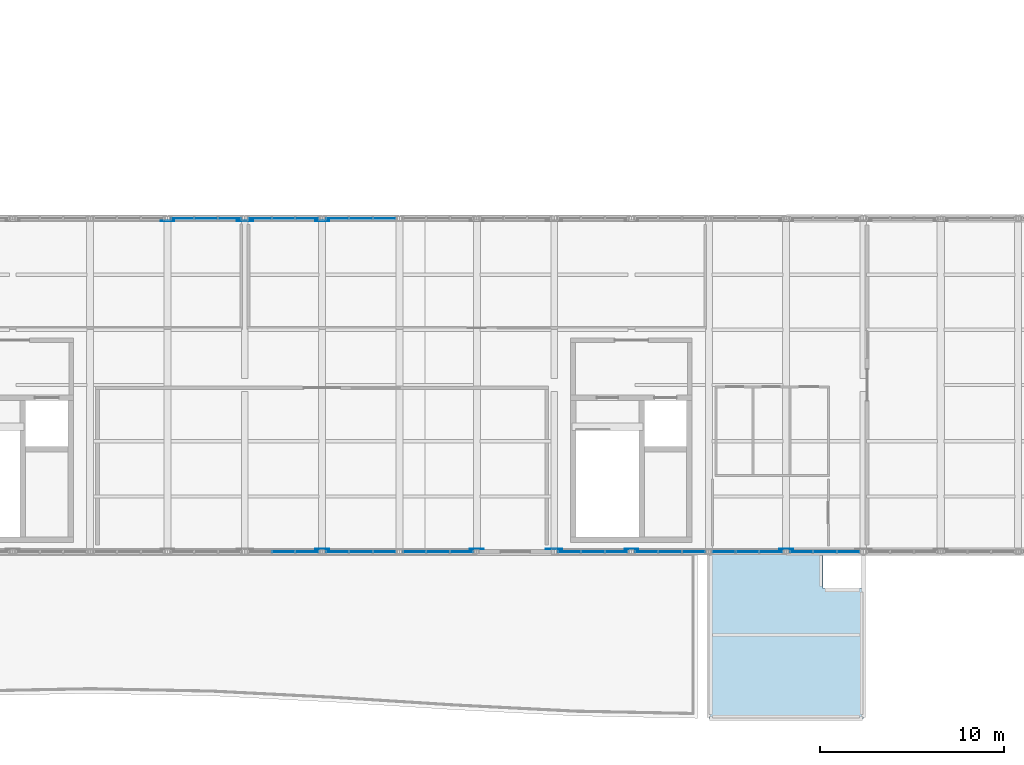
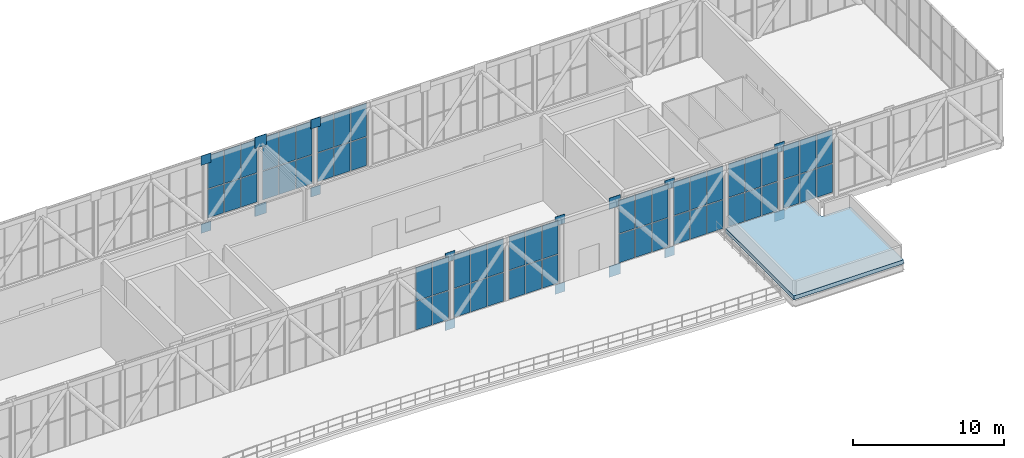
# One storey, part 49 of 58: 74 plates, 1 slab, 10 elements without a shape of their own.
"""IFC4 building model written with IfcOpenShell, lengths in metres."""

from ifc_helpers import new_model, si_unit, direction, frame, origin, origin_2d, place, context, subcontext, project, spatial, polyline, rectangle, outline, extrude, material, layer, layer_set, type_object, element, aggregate, save


model = new_model("IFC4")

# Units and contexts
model_context = context("Model", 3, precision=1e-05, world=origin(), true_north=direction((0.0, 1.0)))
body_context = subcontext(model_context, "Body", "Model", "MODEL_VIEW")
ifc_project = project(units=[si_unit("LENGTHUNIT", "METRE"), si_unit("AREAUNIT", "SQUARE_METRE"), si_unit("VOLUMEUNIT", "CUBIC_METRE"), si_unit("PLANEANGLEUNIT", "RADIAN"), si_unit("MASSUNIT", "GRAM", prefix="KILO")], contexts=[model_context])

# Site, building, storey
site_placement = place(None, origin())
site = spatial("IfcSite", under=ifc_project, at=site_placement, CompositionType="ELEMENT")
building_placement = place(site_placement, origin())
building = spatial("IfcBuilding", under=site, at=building_placement, Name="Khurvash Pelagic Aquarium", CompositionType="ELEMENT")
storey_placement = place(building_placement, frame((0.0, 0.0, 24.60009765625)))
storey = spatial("IfcBuildingStorey", under=building, at=storey_placement, Name="L05", CompositionType="ELEMENT", Elevation=24.60009765625)

# Curtain wall, plates
ifc_material_1 = material(Name="Anodised aluminium and low-E laminated glass", Category="aluminium")
curtain_wall_type = type_object("IfcCurtainWallType", Name="CW-01", PredefinedType="USERDEFINED", material=ifc_material_1)
curtain_wall_1_placement = place(storey_placement, origin())
curtain_wall_1 = element("IfcCurtainWall", 1, at=curtain_wall_1_placement, inside=storey, type_object=curtain_wall_type, Name="L05 South Sky-Bar Unitised Curtain Wall CW-01 P16", ObjectType="UNITISED CURTAIN WALL", PredefinedType="USERDEFINED")
ifc_material_2 = material(Name="Low-E laminated double glazing", Category="glass")
ifc_layer_1 = layer(ifc_material_2, 0.035888671875)
ifc_layer_set_1 = layer_set([ifc_layer_1], Name="Low-E laminated double glazing")
plate_type_1 = type_object("IfcPlateType", Name="CG-01", PredefinedType="CURTAIN_PANEL", material=ifc_layer_set_1)
plate_1_placement = place(storey_placement, frame((77.699951171875, 11.64990234375, 0.059814453125), z_axis=(0.0, 0.0, 1.0), x_axis=(1.0, 0.0, 0.0)))
plate_1 = element("IfcPlate", 2, at=plate_1_placement, type_object=plate_type_1, Name="CW-01 panel 2.1", PredefinedType="CURTAIN_PANEL", context=body_context, shape_type="SweptSolid", body=[
    extrude(rectangle(XDim=1.2333984375, YDim=0.035888671875, at=origin_2d()), origin(), (0.0, 0.0, 1.0), 2.31005859375),
])
plate_2_placement = place(storey_placement, frame((77.699951171875, 11.64990234375, 2.429931640625), z_axis=(0.0, 0.0, 1.0), x_axis=(1.0, 0.0, 0.0)))
plate_2 = element("IfcPlate", 3, at=plate_2_placement, type_object=plate_type_1, Name="CW-01 panel 2.2", PredefinedType="CURTAIN_PANEL", context=body_context, shape_type="SweptSolid", body=[
    extrude(rectangle(XDim=1.2333984375, YDim=0.035888671875, at=origin_2d()), origin(), (0.0, 0.0, 1.0), 2.68994140625),
])
plate_3_placement = place(storey_placement, frame((78.978271484375, 11.64990234375, 0.059814453125), z_axis=(0.0, 0.0, 1.0), x_axis=(1.0, 0.0, 0.0)))
plate_3 = element("IfcPlate", 4, at=plate_3_placement, type_object=plate_type_1, Name="CW-01 panel 3.1", PredefinedType="CURTAIN_PANEL", context=body_context, shape_type="SweptSolid", body=[
    extrude(rectangle(XDim=1.203369140625, YDim=0.035888671875, at=origin_2d()), origin(), (0.0, 0.0, 1.0), 2.31005859375),
])
plate_4_placement = place(storey_placement, frame((78.978271484375, 11.64990234375, 2.429931640625), z_axis=(0.0, 0.0, 1.0), x_axis=(1.0, 0.0, 0.0)))
plate_4 = element("IfcPlate", 5, at=plate_4_placement, type_object=plate_type_1, Name="CW-01 panel 3.2", PredefinedType="CURTAIN_PANEL", context=body_context, shape_type="SweptSolid", body=[
    extrude(rectangle(XDim=1.203369140625, YDim=0.035888671875, at=origin_2d()), origin(), (0.0, 0.0, 1.0), 2.68994140625),
])
aggregate(curtain_wall_1, [plate_1, plate_2, plate_3, plate_4])

curtain_wall_2_placement = place(storey_placement, origin())
curtain_wall_2 = element("IfcCurtainWall", 6, at=curtain_wall_2_placement, inside=storey, type_object=curtain_wall_type, Name="L05 South Sky-Bar Unitised Curtain Wall CW-01 P17", ObjectType="UNITISED CURTAIN WALL", PredefinedType="USERDEFINED")
plate_5_placement = place(storey_placement, frame((80.62158203125, 11.64990234375, 0.059814453125), z_axis=(0.0, 0.0, 1.0), x_axis=(1.0, 0.0, 0.0)))
plate_5 = element("IfcPlate", 7, at=plate_5_placement, type_object=plate_type_1, Name="CW-01 panel 1.1", PredefinedType="CURTAIN_PANEL", context=body_context, shape_type="SweptSolid", body=[
    extrude(rectangle(XDim=1.203369140625, YDim=0.035888671875, at=origin_2d()), origin(), (0.0, 0.0, 1.0), 2.31005859375),
])
plate_6_placement = place(storey_placement, frame((80.62158203125, 11.64990234375, 2.429931640625), z_axis=(0.0, 0.0, 1.0), x_axis=(1.0, 0.0, 0.0)))
plate_6 = element("IfcPlate", 8, at=plate_6_placement, type_object=plate_type_1, Name="CW-01 panel 1.2", PredefinedType="CURTAIN_PANEL", context=body_context, shape_type="SweptSolid", body=[
    extrude(rectangle(XDim=1.203369140625, YDim=0.035888671875, at=origin_2d()), origin(), (0.0, 0.0, 1.0), 2.68994140625),
])
plate_7_placement = place(storey_placement, frame((81.89990234375, 11.64990234375, 0.059814453125), z_axis=(0.0, 0.0, 1.0), x_axis=(1.0, 0.0, 0.0)))
plate_7 = element("IfcPlate", 9, at=plate_7_placement, type_object=plate_type_1, Name="CW-01 panel 2.1", PredefinedType="CURTAIN_PANEL", context=body_context, shape_type="SweptSolid", body=[
    extrude(rectangle(XDim=1.2333984375, YDim=0.035888671875, at=origin_2d()), origin(), (0.0, 0.0, 1.0), 2.31005859375),
])
plate_8_placement = place(storey_placement, frame((81.89990234375, 11.64990234375, 2.429931640625), z_axis=(0.0, 0.0, 1.0), x_axis=(1.0, 0.0, 0.0)))
plate_8 = element("IfcPlate", 10, at=plate_8_placement, type_object=plate_type_1, Name="CW-01 panel 2.2", PredefinedType="CURTAIN_PANEL", context=body_context, shape_type="SweptSolid", body=[
    extrude(rectangle(XDim=1.2333984375, YDim=0.035888671875, at=origin_2d()), origin(), (0.0, 0.0, 1.0), 2.68994140625),
])
plate_9_placement = place(storey_placement, frame((83.17822265625, 11.64990234375, 0.059814453125), z_axis=(0.0, 0.0, 1.0), x_axis=(1.0, 0.0, 0.0)))
plate_9 = element("IfcPlate", 11, at=plate_9_placement, type_object=plate_type_1, Name="CW-01 panel 3.1", PredefinedType="CURTAIN_PANEL", context=body_context, shape_type="SweptSolid", body=[
    extrude(rectangle(XDim=1.203369140625, YDim=0.035888671875, at=origin_2d()), origin(), (0.0, 0.0, 1.0), 2.31005859375),
])
plate_10_placement = place(storey_placement, frame((83.17822265625, 11.64990234375, 2.429931640625), z_axis=(0.0, 0.0, 1.0), x_axis=(1.0, 0.0, 0.0)))
plate_10 = element("IfcPlate", 12, at=plate_10_placement, type_object=plate_type_1, Name="CW-01 panel 3.2", PredefinedType="CURTAIN_PANEL", context=body_context, shape_type="SweptSolid", body=[
    extrude(rectangle(XDim=1.203369140625, YDim=0.035888671875, at=origin_2d()), origin(), (0.0, 0.0, 1.0), 2.68994140625),
])
aggregate(curtain_wall_2, [plate_5, plate_6, plate_7, plate_8, plate_9, plate_10])

curtain_wall_3_placement = place(storey_placement, origin())
curtain_wall_3 = element("IfcCurtainWall", 13, at=curtain_wall_3_placement, inside=storey, type_object=curtain_wall_type, Name="L05 South Sky-Bar Unitised Curtain Wall CW-01 P18", ObjectType="UNITISED CURTAIN WALL", PredefinedType="USERDEFINED")
plate_11_placement = place(storey_placement, frame((84.82177734375, 11.64990234375, 0.059814453125), z_axis=(0.0, 0.0, 1.0), x_axis=(1.0, 0.0, 0.0)))
plate_11 = element("IfcPlate", 14, at=plate_11_placement, type_object=plate_type_1, Name="CW-01 panel 1.1", PredefinedType="CURTAIN_PANEL", context=body_context, shape_type="SweptSolid", body=[
    extrude(rectangle(XDim=1.203369140625, YDim=0.035888671875, at=origin_2d()), origin(), (0.0, 0.0, 1.0), 2.31005859375),
])
plate_12_placement = place(storey_placement, frame((84.82177734375, 11.64990234375, 2.429931640625), z_axis=(0.0, 0.0, 1.0), x_axis=(1.0, 0.0, 0.0)))
plate_12 = element("IfcPlate", 15, at=plate_12_placement, type_object=plate_type_1, Name="CW-01 panel 1.2", PredefinedType="CURTAIN_PANEL", context=body_context, shape_type="SweptSolid", body=[
    extrude(rectangle(XDim=1.203369140625, YDim=0.035888671875, at=origin_2d()), origin(), (0.0, 0.0, 1.0), 2.68994140625),
])
plate_13_placement = place(storey_placement, frame((86.10009765625, 11.64990234375, 0.059814453125), z_axis=(0.0, 0.0, 1.0), x_axis=(1.0, 0.0, 0.0)))
plate_13 = element("IfcPlate", 16, at=plate_13_placement, type_object=plate_type_1, Name="CW-01 panel 2.1", PredefinedType="CURTAIN_PANEL", context=body_context, shape_type="SweptSolid", body=[
    extrude(rectangle(XDim=1.2333984375, YDim=0.035888671875, at=origin_2d()), origin(), (0.0, 0.0, 1.0), 2.31005859375),
])
plate_14_placement = place(storey_placement, frame((86.10009765625, 11.64990234375, 2.429931640625), z_axis=(0.0, 0.0, 1.0), x_axis=(1.0, 0.0, 0.0)))
plate_14 = element("IfcPlate", 17, at=plate_14_placement, type_object=plate_type_1, Name="CW-01 panel 2.2", PredefinedType="CURTAIN_PANEL", context=body_context, shape_type="SweptSolid", body=[
    extrude(rectangle(XDim=1.2333984375, YDim=0.035888671875, at=origin_2d()), origin(), (0.0, 0.0, 1.0), 2.68994140625),
])
plate_15_placement = place(storey_placement, frame((87.37841796875, 11.64990234375, 0.059814453125), z_axis=(0.0, 0.0, 1.0), x_axis=(1.0, 0.0, 0.0)))
plate_15 = element("IfcPlate", 18, at=plate_15_placement, type_object=plate_type_1, Name="CW-01 panel 3.1", PredefinedType="CURTAIN_PANEL", context=body_context, shape_type="SweptSolid", body=[
    extrude(rectangle(XDim=1.203369140625, YDim=0.035888671875, at=origin_2d()), origin(), (0.0, 0.0, 1.0), 2.31005859375),
])
plate_16_placement = place(storey_placement, frame((87.37841796875, 11.64990234375, 2.429931640625), z_axis=(0.0, 0.0, 1.0), x_axis=(1.0, 0.0, 0.0)))
plate_16 = element("IfcPlate", 19, at=plate_16_placement, type_object=plate_type_1, Name="CW-01 panel 3.2", PredefinedType="CURTAIN_PANEL", context=body_context, shape_type="SweptSolid", body=[
    extrude(rectangle(XDim=1.203369140625, YDim=0.035888671875, at=origin_2d()), origin(), (0.0, 0.0, 1.0), 2.68994140625),
])
aggregate(curtain_wall_3, [plate_11, plate_12, plate_13, plate_14, plate_15, plate_16])

curtain_wall_4_placement = place(storey_placement, origin())
curtain_wall_4 = element("IfcCurtainWall", 20, at=curtain_wall_4_placement, inside=storey, type_object=curtain_wall_type, Name="L05 South Sky-Bar Unitised Curtain Wall CW-01 P20", ObjectType="UNITISED CURTAIN WALL", PredefinedType="USERDEFINED")
plate_17_placement = place(storey_placement, frame((93.2216796875, 11.64990234375, 0.059814453125), z_axis=(0.0, 0.0, 1.0), x_axis=(1.0, 0.0, 0.0)))
plate_17 = element("IfcPlate", 21, at=plate_17_placement, type_object=plate_type_1, Name="CW-01 panel 1.1", PredefinedType="CURTAIN_PANEL", context=body_context, shape_type="SweptSolid", body=[
    extrude(rectangle(XDim=1.203369140625, YDim=0.035888671875, at=origin_2d()), origin(), (0.0, 0.0, 1.0), 2.31005859375),
])
plate_18_placement = place(storey_placement, frame((93.2216796875, 11.64990234375, 2.429931640625), z_axis=(0.0, 0.0, 1.0), x_axis=(1.0, 0.0, 0.0)))
plate_18 = element("IfcPlate", 22, at=plate_18_placement, type_object=plate_type_1, Name="CW-01 panel 1.2", PredefinedType="CURTAIN_PANEL", context=body_context, shape_type="SweptSolid", body=[
    extrude(rectangle(XDim=1.203369140625, YDim=0.035888671875, at=origin_2d()), origin(), (0.0, 0.0, 1.0), 2.68994140625),
])
plate_19_placement = place(storey_placement, frame((94.5, 11.64990234375, 0.059814453125), z_axis=(0.0, 0.0, 1.0), x_axis=(1.0, 0.0, 0.0)))
plate_19 = element("IfcPlate", 23, at=plate_19_placement, type_object=plate_type_1, Name="CW-01 panel 2.1", PredefinedType="CURTAIN_PANEL", context=body_context, shape_type="SweptSolid", body=[
    extrude(rectangle(XDim=1.2333984375, YDim=0.035888671875, at=origin_2d()), origin(), (0.0, 0.0, 1.0), 2.31005859375),
])
plate_20_placement = place(storey_placement, frame((94.5, 11.64990234375, 2.429931640625), z_axis=(0.0, 0.0, 1.0), x_axis=(1.0, 0.0, 0.0)))
plate_20 = element("IfcPlate", 24, at=plate_20_placement, type_object=plate_type_1, Name="CW-01 panel 2.2", PredefinedType="CURTAIN_PANEL", context=body_context, shape_type="SweptSolid", body=[
    extrude(rectangle(XDim=1.2333984375, YDim=0.035888671875, at=origin_2d()), origin(), (0.0, 0.0, 1.0), 2.68994140625),
])
plate_21_placement = place(storey_placement, frame((95.7783203125, 11.64990234375, 0.059814453125), z_axis=(0.0, 0.0, 1.0), x_axis=(1.0, 0.0, 0.0)))
plate_21 = element("IfcPlate", 25, at=plate_21_placement, type_object=plate_type_1, Name="CW-01 panel 3.1", PredefinedType="CURTAIN_PANEL", context=body_context, shape_type="SweptSolid", body=[
    extrude(rectangle(XDim=1.203369140625, YDim=0.035888671875, at=origin_2d()), origin(), (0.0, 0.0, 1.0), 2.31005859375),
])
plate_22_placement = place(storey_placement, frame((95.7783203125, 11.64990234375, 2.429931640625), z_axis=(0.0, 0.0, 1.0), x_axis=(1.0, 0.0, 0.0)))
plate_22 = element("IfcPlate", 26, at=plate_22_placement, type_object=plate_type_1, Name="CW-01 panel 3.2", PredefinedType="CURTAIN_PANEL", context=body_context, shape_type="SweptSolid", body=[
    extrude(rectangle(XDim=1.203369140625, YDim=0.035888671875, at=origin_2d()), origin(), (0.0, 0.0, 1.0), 2.68994140625),
])
aggregate(curtain_wall_4, [plate_17, plate_18, plate_19, plate_20, plate_21, plate_22])

curtain_wall_5_placement = place(storey_placement, origin())
curtain_wall_5 = element("IfcCurtainWall", 27, at=curtain_wall_5_placement, inside=storey, type_object=curtain_wall_type, Name="L05 South Sky-Bar Unitised Curtain Wall CW-01 P21", ObjectType="UNITISED CURTAIN WALL", PredefinedType="USERDEFINED")
plate_23_placement = place(storey_placement, frame((97.421630859375, 11.64990234375, 0.059814453125), z_axis=(0.0, 0.0, 1.0), x_axis=(1.0, 0.0, 0.0)))
plate_23 = element("IfcPlate", 28, at=plate_23_placement, type_object=plate_type_1, Name="CW-01 panel 1.1", PredefinedType="CURTAIN_PANEL", context=body_context, shape_type="SweptSolid", body=[
    extrude(rectangle(XDim=1.203369140625, YDim=0.035888671875, at=origin_2d()), origin(), (0.0, 0.0, 1.0), 2.31005859375),
])
plate_24_placement = place(storey_placement, frame((97.421630859375, 11.64990234375, 2.429931640625), z_axis=(0.0, 0.0, 1.0), x_axis=(1.0, 0.0, 0.0)))
plate_24 = element("IfcPlate", 29, at=plate_24_placement, type_object=plate_type_1, Name="CW-01 panel 1.2", PredefinedType="CURTAIN_PANEL", context=body_context, shape_type="SweptSolid", body=[
    extrude(rectangle(XDim=1.203369140625, YDim=0.035888671875, at=origin_2d()), origin(), (0.0, 0.0, 1.0), 2.68994140625),
])
plate_25_placement = place(storey_placement, frame((98.699951171875, 11.64990234375, 0.059814453125), z_axis=(0.0, 0.0, 1.0), x_axis=(1.0, 0.0, 0.0)))
plate_25 = element("IfcPlate", 30, at=plate_25_placement, type_object=plate_type_1, Name="CW-01 panel 2.1", PredefinedType="CURTAIN_PANEL", context=body_context, shape_type="SweptSolid", body=[
    extrude(rectangle(XDim=1.2333984375, YDim=0.035888671875, at=origin_2d()), origin(), (0.0, 0.0, 1.0), 2.31005859375),
])
plate_26_placement = place(storey_placement, frame((98.699951171875, 11.64990234375, 2.429931640625), z_axis=(0.0, 0.0, 1.0), x_axis=(1.0, 0.0, 0.0)))
plate_26 = element("IfcPlate", 31, at=plate_26_placement, type_object=plate_type_1, Name="CW-01 panel 2.2", PredefinedType="CURTAIN_PANEL", context=body_context, shape_type="SweptSolid", body=[
    extrude(rectangle(XDim=1.2333984375, YDim=0.035888671875, at=origin_2d()), origin(), (0.0, 0.0, 1.0), 2.68994140625),
])
plate_27_placement = place(storey_placement, frame((99.978271484375, 11.64990234375, 0.059814453125), z_axis=(0.0, 0.0, 1.0), x_axis=(1.0, 0.0, 0.0)))
plate_27 = element("IfcPlate", 32, at=plate_27_placement, type_object=plate_type_1, Name="CW-01 panel 3.1", PredefinedType="CURTAIN_PANEL", context=body_context, shape_type="SweptSolid", body=[
    extrude(rectangle(XDim=1.203369140625, YDim=0.035888671875, at=origin_2d()), origin(), (0.0, 0.0, 1.0), 2.31005859375),
])
plate_28_placement = place(storey_placement, frame((99.978271484375, 11.64990234375, 2.429931640625), z_axis=(0.0, 0.0, 1.0), x_axis=(1.0, 0.0, 0.0)))
plate_28 = element("IfcPlate", 33, at=plate_28_placement, type_object=plate_type_1, Name="CW-01 panel 3.2", PredefinedType="CURTAIN_PANEL", context=body_context, shape_type="SweptSolid", body=[
    extrude(rectangle(XDim=1.203369140625, YDim=0.035888671875, at=origin_2d()), origin(), (0.0, 0.0, 1.0), 2.68994140625),
])
aggregate(curtain_wall_5, [plate_23, plate_24, plate_25, plate_26, plate_27, plate_28])

curtain_wall_6_placement = place(storey_placement, origin())
curtain_wall_6 = element("IfcCurtainWall", 34, at=curtain_wall_6_placement, inside=storey, type_object=curtain_wall_type, Name="L05 South Sky-Bar Unitised Curtain Wall CW-01 P22", ObjectType="UNITISED CURTAIN WALL", PredefinedType="USERDEFINED")
plate_29_placement = place(storey_placement, frame((101.62158203125, 11.64990234375, 0.059814453125), z_axis=(0.0, 0.0, 1.0), x_axis=(1.0, 0.0, 0.0)))
plate_29 = element("IfcPlate", 35, at=plate_29_placement, type_object=plate_type_1, Name="CW-01 panel 1.1", PredefinedType="CURTAIN_PANEL", context=body_context, shape_type="SweptSolid", body=[
    extrude(rectangle(XDim=1.203369140625, YDim=0.035888671875, at=origin_2d()), origin(), (0.0, 0.0, 1.0), 2.31005859375),
])
plate_30_placement = place(storey_placement, frame((101.62158203125, 11.64990234375, 2.429931640625), z_axis=(0.0, 0.0, 1.0), x_axis=(1.0, 0.0, 0.0)))
plate_30 = element("IfcPlate", 36, at=plate_30_placement, type_object=plate_type_1, Name="CW-01 panel 1.2", PredefinedType="CURTAIN_PANEL", context=body_context, shape_type="SweptSolid", body=[
    extrude(rectangle(XDim=1.203369140625, YDim=0.035888671875, at=origin_2d()), origin(), (0.0, 0.0, 1.0), 2.68994140625),
])
plate_31_placement = place(storey_placement, frame((102.89990234375, 11.64990234375, 0.059814453125), z_axis=(0.0, 0.0, 1.0), x_axis=(1.0, 0.0, 0.0)))
plate_31 = element("IfcPlate", 37, at=plate_31_placement, type_object=plate_type_1, Name="CW-01 panel 2.1", PredefinedType="CURTAIN_PANEL", context=body_context, shape_type="SweptSolid", body=[
    extrude(rectangle(XDim=1.2333984375, YDim=0.035888671875, at=origin_2d()), origin(), (0.0, 0.0, 1.0), 2.31005859375),
])
plate_32_placement = place(storey_placement, frame((102.89990234375, 11.64990234375, 2.429931640625), z_axis=(0.0, 0.0, 1.0), x_axis=(1.0, 0.0, 0.0)))
plate_32 = element("IfcPlate", 38, at=plate_32_placement, type_object=plate_type_1, Name="CW-01 panel 2.2", PredefinedType="CURTAIN_PANEL", context=body_context, shape_type="SweptSolid", body=[
    extrude(rectangle(XDim=1.2333984375, YDim=0.035888671875, at=origin_2d()), origin(), (0.0, 0.0, 1.0), 2.68994140625),
])
plate_33_placement = place(storey_placement, frame((104.17822265625, 11.64990234375, 0.059814453125), z_axis=(0.0, 0.0, 1.0), x_axis=(1.0, 0.0, 0.0)))
plate_33 = element("IfcPlate", 39, at=plate_33_placement, type_object=plate_type_1, Name="CW-01 panel 3.1", PredefinedType="CURTAIN_PANEL", context=body_context, shape_type="SweptSolid", body=[
    extrude(rectangle(XDim=1.203369140625, YDim=0.035888671875, at=origin_2d()), origin(), (0.0, 0.0, 1.0), 2.31005859375),
])
plate_34_placement = place(storey_placement, frame((104.17822265625, 11.64990234375, 2.429931640625), z_axis=(0.0, 0.0, 1.0), x_axis=(1.0, 0.0, 0.0)))
plate_34 = element("IfcPlate", 40, at=plate_34_placement, type_object=plate_type_1, Name="CW-01 panel 3.2", PredefinedType="CURTAIN_PANEL", context=body_context, shape_type="SweptSolid", body=[
    extrude(rectangle(XDim=1.203369140625, YDim=0.035888671875, at=origin_2d()), origin(), (0.0, 0.0, 1.0), 2.68994140625),
])
aggregate(curtain_wall_6, [plate_29, plate_30, plate_31, plate_32, plate_33, plate_34])

curtain_wall_7_placement = place(storey_placement, origin())
curtain_wall_7 = element("IfcCurtainWall", 41, at=curtain_wall_7_placement, inside=storey, type_object=curtain_wall_type, Name="L05 South Sky-Bar Unitised Curtain Wall CW-01 P23", ObjectType="UNITISED CURTAIN WALL", PredefinedType="USERDEFINED")
plate_35_placement = place(storey_placement, frame((105.82177734375, 11.64990234375, 0.059814453125), z_axis=(0.0, 0.0, 1.0), x_axis=(1.0, 0.0, 0.0)))
plate_35 = element("IfcPlate", 42, at=plate_35_placement, type_object=plate_type_1, Name="CW-01 panel 1.1", PredefinedType="CURTAIN_PANEL", context=body_context, shape_type="SweptSolid", body=[
    extrude(rectangle(XDim=1.203369140625, YDim=0.035888671875, at=origin_2d()), origin(), (0.0, 0.0, 1.0), 2.31005859375),
])
plate_36_placement = place(storey_placement, frame((105.82177734375, 11.64990234375, 2.429931640625), z_axis=(0.0, 0.0, 1.0), x_axis=(1.0, 0.0, 0.0)))
plate_36 = element("IfcPlate", 43, at=plate_36_placement, type_object=plate_type_1, Name="CW-01 panel 1.2", PredefinedType="CURTAIN_PANEL", context=body_context, shape_type="SweptSolid", body=[
    extrude(rectangle(XDim=1.203369140625, YDim=0.035888671875, at=origin_2d()), origin(), (0.0, 0.0, 1.0), 2.68994140625),
])
plate_37_placement = place(storey_placement, frame((107.10009765625, 11.64990234375, 0.059814453125), z_axis=(0.0, 0.0, 1.0), x_axis=(1.0, 0.0, 0.0)))
plate_37 = element("IfcPlate", 44, at=plate_37_placement, type_object=plate_type_1, Name="CW-01 panel 2.1", PredefinedType="CURTAIN_PANEL", context=body_context, shape_type="SweptSolid", body=[
    extrude(rectangle(XDim=1.2333984375, YDim=0.035888671875, at=origin_2d()), origin(), (0.0, 0.0, 1.0), 2.31005859375),
])
plate_38_placement = place(storey_placement, frame((107.10009765625, 11.64990234375, 2.429931640625), z_axis=(0.0, 0.0, 1.0), x_axis=(1.0, 0.0, 0.0)))
plate_38 = element("IfcPlate", 45, at=plate_38_placement, type_object=plate_type_1, Name="CW-01 panel 2.2", PredefinedType="CURTAIN_PANEL", context=body_context, shape_type="SweptSolid", body=[
    extrude(rectangle(XDim=1.2333984375, YDim=0.035888671875, at=origin_2d()), origin(), (0.0, 0.0, 1.0), 2.68994140625),
])
plate_39_placement = place(storey_placement, frame((108.37841796875, 11.64990234375, 0.059814453125), z_axis=(0.0, 0.0, 1.0), x_axis=(1.0, 0.0, 0.0)))
plate_39 = element("IfcPlate", 46, at=plate_39_placement, type_object=plate_type_1, Name="CW-01 panel 3.1", PredefinedType="CURTAIN_PANEL", context=body_context, shape_type="SweptSolid", body=[
    extrude(rectangle(XDim=1.203369140625, YDim=0.035888671875, at=origin_2d()), origin(), (0.0, 0.0, 1.0), 2.31005859375),
])
plate_40_placement = place(storey_placement, frame((108.37841796875, 11.64990234375, 2.429931640625), z_axis=(0.0, 0.0, 1.0), x_axis=(1.0, 0.0, 0.0)))
plate_40 = element("IfcPlate", 47, at=plate_40_placement, type_object=plate_type_1, Name="CW-01 panel 3.2", PredefinedType="CURTAIN_PANEL", context=body_context, shape_type="SweptSolid", body=[
    extrude(rectangle(XDim=1.203369140625, YDim=0.035888671875, at=origin_2d()), origin(), (0.0, 0.0, 1.0), 2.68994140625),
])
aggregate(curtain_wall_7, [plate_35, plate_36, plate_37, plate_38, plate_39, plate_40])

curtain_wall_8_placement = place(storey_placement, origin())
curtain_wall_8 = element("IfcCurtainWall", 48, at=curtain_wall_8_placement, inside=storey, type_object=curtain_wall_type, Name="L05 North Sky-Bar Unitised Curtain Wall CW-01 P15", ObjectType="UNITISED CURTAIN WALL", PredefinedType="USERDEFINED")
plate_41_placement = place(storey_placement, frame((72.2216796875, 29.75, 0.059814453125), z_axis=(0.0, 0.0, 1.0), x_axis=(1.0, 0.0, 0.0)))
plate_41 = element("IfcPlate", 49, at=plate_41_placement, type_object=plate_type_1, Name="CW-01 panel 1.1", PredefinedType="CURTAIN_PANEL", context=body_context, shape_type="SweptSolid", body=[
    extrude(rectangle(XDim=1.203369140625, YDim=0.035888671875, at=origin_2d()), origin(), (0.0, 0.0, 1.0), 2.31005859375),
])
plate_42_placement = place(storey_placement, frame((72.2216796875, 29.75, 2.429931640625), z_axis=(0.0, 0.0, 1.0), x_axis=(1.0, 0.0, 0.0)))
plate_42 = element("IfcPlate", 50, at=plate_42_placement, type_object=plate_type_1, Name="CW-01 panel 1.2", PredefinedType="CURTAIN_PANEL", context=body_context, shape_type="SweptSolid", body=[
    extrude(rectangle(XDim=1.203369140625, YDim=0.035888671875, at=origin_2d()), origin(), (0.0, 0.0, 1.0), 2.68994140625),
])
plate_43_placement = place(storey_placement, frame((73.5, 29.75, 0.059814453125), z_axis=(0.0, 0.0, 1.0), x_axis=(1.0, 0.0, 0.0)))
plate_43 = element("IfcPlate", 51, at=plate_43_placement, type_object=plate_type_1, Name="CW-01 panel 2.1", PredefinedType="CURTAIN_PANEL", context=body_context, shape_type="SweptSolid", body=[
    extrude(rectangle(XDim=1.2333984375, YDim=0.035888671875, at=origin_2d()), origin(), (0.0, 0.0, 1.0), 2.31005859375),
])
plate_44_placement = place(storey_placement, frame((73.5, 29.75, 2.429931640625), z_axis=(0.0, 0.0, 1.0), x_axis=(1.0, 0.0, 0.0)))
plate_44 = element("IfcPlate", 52, at=plate_44_placement, type_object=plate_type_1, Name="CW-01 panel 2.2", PredefinedType="CURTAIN_PANEL", context=body_context, shape_type="SweptSolid", body=[
    extrude(rectangle(XDim=1.2333984375, YDim=0.035888671875, at=origin_2d()), origin(), (0.0, 0.0, 1.0), 2.68994140625),
])
plate_45_placement = place(storey_placement, frame((74.7783203125, 29.75, 0.059814453125), z_axis=(0.0, 0.0, 1.0), x_axis=(1.0, 0.0, 0.0)))
plate_45 = element("IfcPlate", 53, at=plate_45_placement, type_object=plate_type_1, Name="CW-01 panel 3.1", PredefinedType="CURTAIN_PANEL", context=body_context, shape_type="SweptSolid", body=[
    extrude(rectangle(XDim=1.203369140625, YDim=0.035888671875, at=origin_2d()), origin(), (0.0, 0.0, 1.0), 2.31005859375),
])
plate_46_placement = place(storey_placement, frame((74.7783203125, 29.75, 2.429931640625), z_axis=(0.0, 0.0, 1.0), x_axis=(1.0, 0.0, 0.0)))
plate_46 = element("IfcPlate", 54, at=plate_46_placement, type_object=plate_type_1, Name="CW-01 panel 3.2", PredefinedType="CURTAIN_PANEL", context=body_context, shape_type="SweptSolid", body=[
    extrude(rectangle(XDim=1.203369140625, YDim=0.035888671875, at=origin_2d()), origin(), (0.0, 0.0, 1.0), 2.68994140625),
])
aggregate(curtain_wall_8, [plate_41, plate_42, plate_43, plate_44, plate_45, plate_46])

curtain_wall_9_placement = place(storey_placement, origin())
curtain_wall_9 = element("IfcCurtainWall", 55, at=curtain_wall_9_placement, inside=storey, type_object=curtain_wall_type, Name="L05 North Sky-Bar Unitised Curtain Wall CW-01 P16", ObjectType="UNITISED CURTAIN WALL", PredefinedType="USERDEFINED")
plate_47_placement = place(storey_placement, frame((76.421630859375, 29.75, 0.059814453125), z_axis=(0.0, 0.0, 1.0), x_axis=(1.0, 0.0, 0.0)))
plate_47 = element("IfcPlate", 56, at=plate_47_placement, type_object=plate_type_1, Name="CW-01 panel 1.1", PredefinedType="CURTAIN_PANEL", context=body_context, shape_type="SweptSolid", body=[
    extrude(rectangle(XDim=1.203369140625, YDim=0.035888671875, at=origin_2d()), origin(), (0.0, 0.0, 1.0), 2.31005859375),
])
plate_48_placement = place(storey_placement, frame((76.421630859375, 29.75, 2.429931640625), z_axis=(0.0, 0.0, 1.0), x_axis=(1.0, 0.0, 0.0)))
plate_48 = element("IfcPlate", 57, at=plate_48_placement, type_object=plate_type_1, Name="CW-01 panel 1.2", PredefinedType="CURTAIN_PANEL", context=body_context, shape_type="SweptSolid", body=[
    extrude(rectangle(XDim=1.203369140625, YDim=0.035888671875, at=origin_2d()), origin(), (0.0, 0.0, 1.0), 2.68994140625),
])
plate_49_placement = place(storey_placement, frame((77.699951171875, 29.75, 0.059814453125), z_axis=(0.0, 0.0, 1.0), x_axis=(1.0, 0.0, 0.0)))
plate_49 = element("IfcPlate", 58, at=plate_49_placement, type_object=plate_type_1, Name="CW-01 panel 2.1", PredefinedType="CURTAIN_PANEL", context=body_context, shape_type="SweptSolid", body=[
    extrude(rectangle(XDim=1.2333984375, YDim=0.035888671875, at=origin_2d()), origin(), (0.0, 0.0, 1.0), 2.31005859375),
])
plate_50_placement = place(storey_placement, frame((77.699951171875, 29.75, 2.429931640625), z_axis=(0.0, 0.0, 1.0), x_axis=(1.0, 0.0, 0.0)))
plate_50 = element("IfcPlate", 59, at=plate_50_placement, type_object=plate_type_1, Name="CW-01 panel 2.2", PredefinedType="CURTAIN_PANEL", context=body_context, shape_type="SweptSolid", body=[
    extrude(rectangle(XDim=1.2333984375, YDim=0.035888671875, at=origin_2d()), origin(), (0.0, 0.0, 1.0), 2.68994140625),
])
plate_51_placement = place(storey_placement, frame((78.978271484375, 29.75, 0.059814453125), z_axis=(0.0, 0.0, 1.0), x_axis=(1.0, 0.0, 0.0)))
plate_51 = element("IfcPlate", 60, at=plate_51_placement, type_object=plate_type_1, Name="CW-01 panel 3.1", PredefinedType="CURTAIN_PANEL", context=body_context, shape_type="SweptSolid", body=[
    extrude(rectangle(XDim=1.203369140625, YDim=0.035888671875, at=origin_2d()), origin(), (0.0, 0.0, 1.0), 2.31005859375),
])
plate_52_placement = place(storey_placement, frame((78.978271484375, 29.75, 2.429931640625), z_axis=(0.0, 0.0, 1.0), x_axis=(1.0, 0.0, 0.0)))
plate_52 = element("IfcPlate", 61, at=plate_52_placement, type_object=plate_type_1, Name="CW-01 panel 3.2", PredefinedType="CURTAIN_PANEL", context=body_context, shape_type="SweptSolid", body=[
    extrude(rectangle(XDim=1.203369140625, YDim=0.035888671875, at=origin_2d()), origin(), (0.0, 0.0, 1.0), 2.68994140625),
])
aggregate(curtain_wall_9, [plate_47, plate_48, plate_49, plate_50, plate_51, plate_52])

curtain_wall_10_placement = place(storey_placement, origin())
curtain_wall_10 = element("IfcCurtainWall", 62, at=curtain_wall_10_placement, inside=storey, type_object=curtain_wall_type, Name="L05 North Sky-Bar Unitised Curtain Wall CW-01 P17", ObjectType="UNITISED CURTAIN WALL", PredefinedType="USERDEFINED")
plate_53_placement = place(storey_placement, frame((80.62158203125, 29.75, 0.059814453125), z_axis=(0.0, 0.0, 1.0), x_axis=(1.0, 0.0, 0.0)))
plate_53 = element("IfcPlate", 63, at=plate_53_placement, type_object=plate_type_1, Name="CW-01 panel 1.1", PredefinedType="CURTAIN_PANEL", context=body_context, shape_type="SweptSolid", body=[
    extrude(rectangle(XDim=1.203369140625, YDim=0.035888671875, at=origin_2d()), origin(), (0.0, 0.0, 1.0), 2.31005859375),
])
plate_54_placement = place(storey_placement, frame((80.62158203125, 29.75, 2.429931640625), z_axis=(0.0, 0.0, 1.0), x_axis=(1.0, 0.0, 0.0)))
plate_54 = element("IfcPlate", 64, at=plate_54_placement, type_object=plate_type_1, Name="CW-01 panel 1.2", PredefinedType="CURTAIN_PANEL", context=body_context, shape_type="SweptSolid", body=[
    extrude(rectangle(XDim=1.203369140625, YDim=0.035888671875, at=origin_2d()), origin(), (0.0, 0.0, 1.0), 2.68994140625),
])
plate_55_placement = place(storey_placement, frame((81.89990234375, 29.75, 0.059814453125), z_axis=(0.0, 0.0, 1.0), x_axis=(1.0, 0.0, 0.0)))
plate_55 = element("IfcPlate", 65, at=plate_55_placement, type_object=plate_type_1, Name="CW-01 panel 2.1", PredefinedType="CURTAIN_PANEL", context=body_context, shape_type="SweptSolid", body=[
    extrude(rectangle(XDim=1.2333984375, YDim=0.035888671875, at=origin_2d()), origin(), (0.0, 0.0, 1.0), 2.31005859375),
])
plate_56_placement = place(storey_placement, frame((81.89990234375, 29.75, 2.429931640625), z_axis=(0.0, 0.0, 1.0), x_axis=(1.0, 0.0, 0.0)))
plate_56 = element("IfcPlate", 66, at=plate_56_placement, type_object=plate_type_1, Name="CW-01 panel 2.2", PredefinedType="CURTAIN_PANEL", context=body_context, shape_type="SweptSolid", body=[
    extrude(rectangle(XDim=1.2333984375, YDim=0.035888671875, at=origin_2d()), origin(), (0.0, 0.0, 1.0), 2.68994140625),
])
plate_57_placement = place(storey_placement, frame((83.17822265625, 29.75, 0.059814453125), z_axis=(0.0, 0.0, 1.0), x_axis=(1.0, 0.0, 0.0)))
plate_57 = element("IfcPlate", 67, at=plate_57_placement, type_object=plate_type_1, Name="CW-01 panel 3.1", PredefinedType="CURTAIN_PANEL", context=body_context, shape_type="SweptSolid", body=[
    extrude(rectangle(XDim=1.203369140625, YDim=0.035888671875, at=origin_2d()), origin(), (0.0, 0.0, 1.0), 2.31005859375),
])
plate_58_placement = place(storey_placement, frame((83.17822265625, 29.75, 2.429931640625), z_axis=(0.0, 0.0, 1.0), x_axis=(1.0, 0.0, 0.0)))
plate_58 = element("IfcPlate", 68, at=plate_58_placement, type_object=plate_type_1, Name="CW-01 panel 3.2", PredefinedType="CURTAIN_PANEL", context=body_context, shape_type="SweptSolid", body=[
    extrude(rectangle(XDim=1.203369140625, YDim=0.035888671875, at=origin_2d()), origin(), (0.0, 0.0, 1.0), 2.68994140625),
])
aggregate(curtain_wall_10, [plate_53, plate_54, plate_55, plate_56, plate_57, plate_58])

# Plates
ifc_material_3 = material(Name="Steel S355J2", Category="steel")
ifc_layer_2 = layer(ifc_material_3, 0.028076171875)
ifc_layer_set_2 = layer_set([ifc_layer_2], Name="Steel S355J2")
plate_type_2 = type_object("IfcPlateType", Name="ND-01", PredefinedType="USERDEFINED", material=ifc_layer_set_2)
for number, where, z_axis, x_axis, name in (
    (69, (92.39990234375, 11.7900390625, -0.97509765625), (0.0, 0.0, 1.0), (1.0, 0.0, 0.0), "L05 South Truss Bot Gusset Plate ND-01 N20"),
    (70, (92.39990234375, 11.7900390625, 4.530029296875), (0.0, 0.0, 1.0), (1.0, 0.0, 0.0), "L05 South Truss Top Gusset Plate ND-01 N20"),
    (71, (75.60009765625, 29.610107421875, -0.97509765625), (0.0, 0.0, 1.0), (1.0, 0.0, 0.0), "L05 North Truss Bot Gusset Plate ND-01 N16"),
    (72, (75.60009765625, 29.610107421875, 4.530029296875), (0.0, 0.0, 1.0), (1.0, 0.0, 0.0), "L05 North Truss Top Gusset Plate ND-01 N16"),
):
    element("IfcPlate", number, at=place(storey_placement, frame(where, z_axis=z_axis, x_axis=x_axis)), inside=storey, type_object=plate_type_2, Name=name, ObjectType="GUSSET PLATE", PredefinedType="USERDEFINED", context=body_context, shape_type="SweptSolid", body=[
        extrude(rectangle(XDim=0.89990234375, YDim=0.028076171875, at=origin_2d()), origin(), (0.0, 0.0, 1.0), 0.89990234375),
    ])
ifc_layer_3 = layer(ifc_material_3, 0.02392578125)
ifc_layer_set_3 = layer_set([ifc_layer_3], Name="Steel S355J2")
plate_type_3 = type_object("IfcPlateType", Name="ND-02", PredefinedType="USERDEFINED", material=ifc_layer_set_3)
for number, where, z_axis, x_axis, name in (
    (73, (79.800048828125, 11.7900390625, -0.900146484375), (0.0, 0.0, 1.0), (1.0, 0.0, 0.0), "L05 South Truss Bot Gusset Plate ND-02 N17"),
    (74, (79.800048828125, 11.7900390625, 4.60498046875), (0.0, 0.0, 1.0), (1.0, 0.0, 0.0), "L05 South Truss Top Gusset Plate ND-02 N17"),
    (75, (88.199951171875, 11.7900390625, -0.900146484375), (0.0, 0.0, 1.0), (1.0, 0.0, 0.0), "L05 South Truss Bot Gusset Plate ND-02 N19"),
    (76, (88.199951171875, 11.7900390625, 4.60498046875), (0.0, 0.0, 1.0), (1.0, 0.0, 0.0), "L05 South Truss Top Gusset Plate ND-02 N19"),
    (77, (96.60009765625, 11.7900390625, -0.900146484375), (0.0, 0.0, 1.0), (1.0, 0.0, 0.0), "L05 South Truss Bot Gusset Plate ND-02 N21"),
    (78, (96.60009765625, 11.7900390625, 4.60498046875), (0.0, 0.0, 1.0), (1.0, 0.0, 0.0), "L05 South Truss Top Gusset Plate ND-02 N21"),
    (79, (105.0, 11.7900390625, -0.900146484375), (0.0, 0.0, 1.0), (1.0, 0.0, 0.0), "L05 South Truss Bot Gusset Plate ND-02 N23"),
    (80, (105.0, 11.7900390625, 4.60498046875), (0.0, 0.0, 1.0), (1.0, 0.0, 0.0), "L05 South Truss Top Gusset Plate ND-02 N23"),
    (81, (71.39990234375, 29.610107421875, -0.900146484375), (0.0, 0.0, 1.0), (1.0, 0.0, 0.0), "L05 North Truss Bot Gusset Plate ND-02 N15"),
    (82, (71.39990234375, 29.610107421875, 4.60498046875), (0.0, 0.0, 1.0), (1.0, 0.0, 0.0), "L05 North Truss Top Gusset Plate ND-02 N15"),
    (83, (79.800048828125, 29.610107421875, -0.900146484375), (0.0, 0.0, 1.0), (1.0, 0.0, 0.0), "L05 North Truss Bot Gusset Plate ND-02 N17"),
    (84, (79.800048828125, 29.610107421875, 4.60498046875), (0.0, 0.0, 1.0), (1.0, 0.0, 0.0), "L05 North Truss Top Gusset Plate ND-02 N17"),
):
    element("IfcPlate", number, at=place(storey_placement, frame(where, z_axis=z_axis, x_axis=x_axis)), inside=storey, type_object=plate_type_3, Name=name, ObjectType="GUSSET PLATE", PredefinedType="USERDEFINED", context=body_context, shape_type="SweptSolid", body=[
        extrude(rectangle(XDim=0.75, YDim=0.02392578125, at=origin_2d()), origin(), (0.0, 0.0, 1.0), 0.75),
    ])

# Slab
ifc_material_4 = material(Name="Concrete C35/45", Category="concrete")
ifc_layer_4 = layer(ifc_material_4, 0.320068359375)
ifc_layer_set_4 = layer_set([ifc_layer_4], Name="Concrete C35/45")
slab_type = type_object("IfcSlabType", Name="RS-320", PredefinedType="ROOF", material=ifc_layer_set_4)
slab_placement = place(storey_placement, frame((0.0, 0.0, -0.320068359375)))
element("IfcSlab", 85, at=slab_placement, inside=storey, type_object=slab_type, Name="L05 Insulated Concrete Roof Slab RS-320 ROOF_L05_V3E.1", PredefinedType="ROOF", context=body_context, shape_type="SweptSolid", body=[
    extrude(outline(polyline([(109.199951171875, 2.60009765625), (109.199951171875, 9.64990234375), (107.0, 9.64990234375), (107.0, 11.64990234375), (100.800048828125, 11.64990234375), (100.800048828125, 2.60009765625), (109.199951171875, 2.60009765625)])), origin(), (0.0, 0.0, 1.0), 0.320068359375),
])

save(model, "model.ifc")
